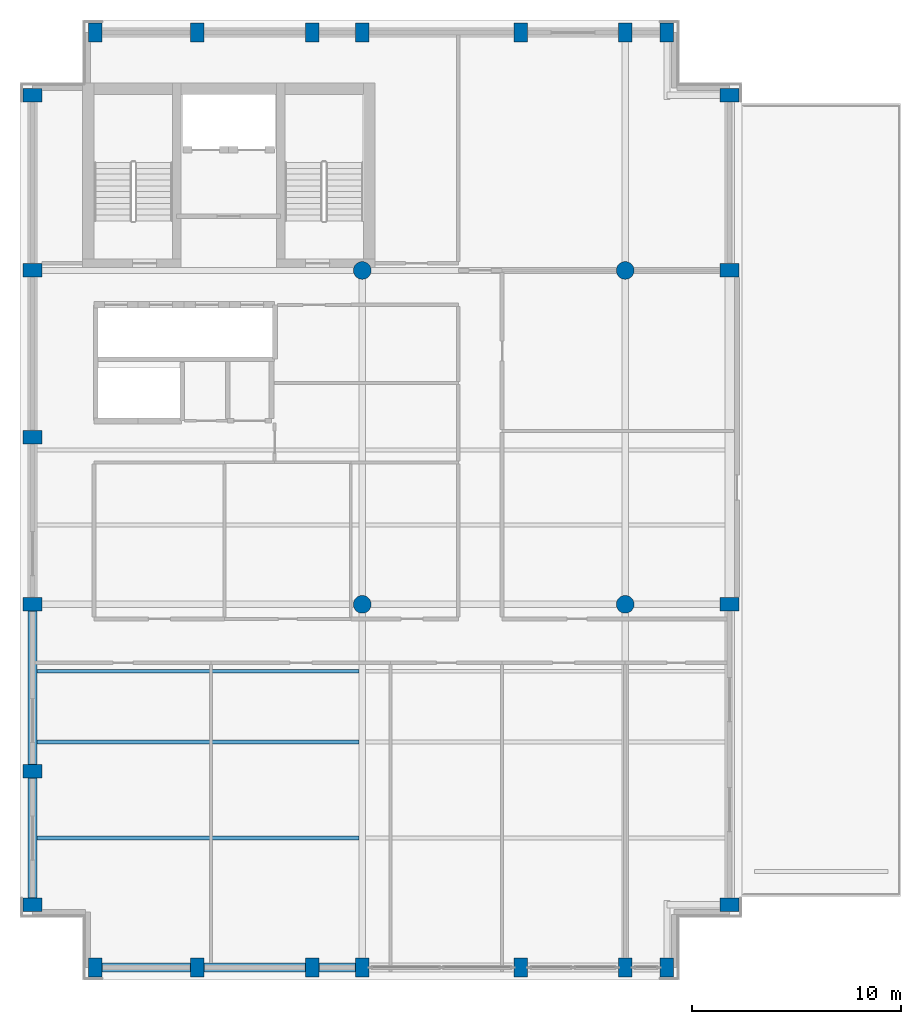
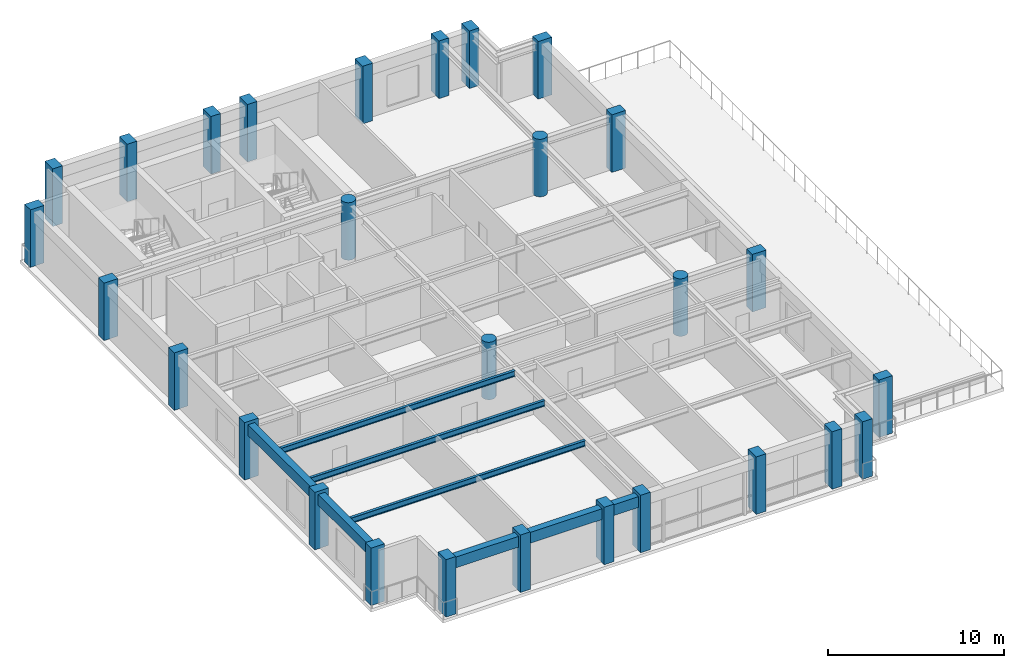
# One storey, part 1 of 9: 28 columns, 8 beams.
"""IFC4 building model written with IfcOpenShell, lengths in metres."""

from ifc_helpers import new_model, si_unit, direction, frame, origin, origin_2d, place, context, subcontext, project, spatial, rectangle, circle, i_section, extrude, material, material_profile, profile_set, type_object, element, save


model = new_model("IFC4")

# Units and contexts
model_context = context("Model", 3, precision=1e-05, world=origin(), true_north=direction((0.0, 1.0)))
body_context = subcontext(model_context, "Body", "Model", "MODEL_VIEW")
ifc_project = project(units=[si_unit("LENGTHUNIT", "METRE"), si_unit("AREAUNIT", "SQUARE_METRE"), si_unit("VOLUMEUNIT", "CUBIC_METRE"), si_unit("PLANEANGLEUNIT", "RADIAN"), si_unit("MASSUNIT", "GRAM", prefix="KILO")], contexts=[model_context])

# Site, building, storey
site_placement = place(None, origin())
site = spatial("IfcSite", under=ifc_project, at=site_placement, CompositionType="ELEMENT")
building_placement = place(site_placement, origin())
building = spatial("IfcBuilding", under=site, at=building_placement, Name="Sulina Concourse Tower", CompositionType="ELEMENT")
storey_placement = place(building_placement, frame((0.0, 0.0, 305.0)))
storey = spatial("IfcBuildingStorey", under=building, at=storey_placement, Name="L74", CompositionType="ELEMENT", Elevation=305.0)

# Columns
ifc_material_1 = material(Name="Precast concrete C50/60", Category="concrete")
ifc_material_profile_1 = material_profile(ifc_material_1, rectangle(XDim=0.64990234375, YDim=0.89990234375, at=origin_2d()), Name="PC 650x900")
ifc_profile_set_1 = profile_set([ifc_material_profile_1], Name="Precast concrete C50/60")
column_type_1 = type_object("IfcColumnType", Name="Precast Stepped Crown Pier 650x900", PredefinedType="COLUMN", material=ifc_profile_set_1)
for number, where, z_axis, x_axis, name in (
    (1, (3.60009765625, 0.60009765625, 0.0), (0.0, 0.0, 1.0), (1.0, 0.0, 0.0), "L74 structural column TP-S-36"),
    (2, (3.60009765625, 45.39990234375, 0.0), (0.0, 0.0, 1.0), (1.0, 0.0, 0.0), "L74 structural column TP-N-36"),
    (3, (8.5, 0.60009765625, 0.0), (0.0, 0.0, 1.0), (1.0, 0.0, 0.0), "L74 structural column TP-S-85"),
    (4, (8.5, 45.39990234375, 0.0), (0.0, 0.0, 1.0), (1.0, 0.0, 0.0), "L74 structural column TP-N-85"),
    (5, (14.0, 0.60009765625, 0.0), (0.0, 0.0, 1.0), (1.0, 0.0, 0.0), "L74 structural column TP-S-140"),
    (6, (14.0, 45.39990234375, 0.0), (0.0, 0.0, 1.0), (1.0, 0.0, 0.0), "L74 structural column TP-N-140"),
    (7, (16.39990234375, 0.60009765625, 0.0), (0.0, 0.0, 1.0), (1.0, 0.0, 0.0), "L74 structural column TP-S-164"),
    (8, (16.39990234375, 45.39990234375, 0.0), (0.0, 0.0, 1.0), (1.0, 0.0, 0.0), "L74 structural column TP-N-164"),
    (9, (24.0, 0.60009765625, 0.0), (0.0, 0.0, 1.0), (1.0, 0.0, 0.0), "L74 structural column TP-S-240"),
    (10, (24.0, 45.39990234375, 0.0), (0.0, 0.0, 1.0), (1.0, 0.0, 0.0), "L74 structural column TP-N-240"),
    (11, (29.0, 0.60009765625, 0.0), (0.0, 0.0, 1.0), (1.0, 0.0, 0.0), "L74 structural column TP-S-290"),
    (12, (29.0, 45.39990234375, 0.0), (0.0, 0.0, 1.0), (1.0, 0.0, 0.0), "L74 structural column TP-N-290"),
    (13, (31.0, 0.60009765625, 0.0), (0.0, 0.0, 1.0), (1.0, 0.0, 0.0), "L74 structural column TP-SC-310"),
    (14, (31.0, 45.39990234375, 0.0), (0.0, 0.0, 1.0), (1.0, 0.0, 0.0), "L74 structural column TP-NC-310"),
    (15, (0.60009765625, 3.60009765625, 0.0), (0.0, 0.0, 1.0), (0.0, 1.0, 0.0), "L74 structural column TP-W-36"),
    (16, (34.0, 3.60009765625, 0.0), (0.0, 0.0, 1.0), (0.0, 1.0, 0.0), "L74 structural column TP-E-36"),
    (17, (0.60009765625, 10.0, 0.0), (0.0, 0.0, 1.0), (0.0, 1.0, 0.0), "L74 structural column TP-W-100"),
    (18, (0.60009765625, 18.0, 0.0), (0.0, 0.0, 1.0), (0.0, 1.0, 0.0), "L74 structural column TP-W-180"),
    (19, (34.0, 18.0, 0.0), (0.0, 0.0, 1.0), (0.0, 1.0, 0.0), "L74 structural column TP-E-180"),
    (20, (0.60009765625, 26.0, 0.0), (0.0, 0.0, 1.0), (0.0, 1.0, 0.0), "L74 structural column TP-W-260"),
    (21, (0.60009765625, 34.0, 0.0), (0.0, 0.0, 1.0), (0.0, 1.0, 0.0), "L74 structural column TP-W-340"),
    (22, (34.0, 34.0, 0.0), (0.0, 0.0, 1.0), (0.0, 1.0, 0.0), "L74 structural column TP-E-340"),
    (23, (0.60009765625, 42.39990234375, 0.0), (0.0, 0.0, 1.0), (0.0, 1.0, 0.0), "L74 structural column TP-W-424"),
    (24, (34.0, 42.39990234375, 0.0), (0.0, 0.0, 1.0), (0.0, 1.0, 0.0), "L74 structural column TP-E-424"),
):
    element("IfcColumn", number, at=place(storey_placement, frame(where, z_axis=z_axis, x_axis=x_axis)), inside=storey, type_object=column_type_1, Name=name, PredefinedType="COLUMN", context=body_context, shape_type="SweptSolid", body=[
        extrude(rectangle(XDim=0.64990234375, YDim=0.89990234375, at=origin_2d()), origin(), (0.0, 0.0, 1.0), 4.0),
    ])
ifc_material_2 = material(Name="Concrete C50/60", Category="concrete")
ifc_material_profile_2 = material_profile(ifc_material_2, circle(Radius=0.425048828125, at=origin_2d()), Name="RC D850")
ifc_profile_set_2 = profile_set([ifc_material_profile_2], Name="Concrete C50/60")
column_type_2 = type_object("IfcColumnType", Name="Upper Interior Circular Column D850", PredefinedType="COLUMN", material=ifc_profile_set_2)
for number, where, z_axis, x_axis, name in (
    (25, (16.39990234375, 18.0, 0.0), (0.0, 0.0, 1.0), (1.0, 0.0, 0.0), "L74 structural column IC-M-164"),
    (26, (16.39990234375, 34.0, 0.0), (0.0, 0.0, 1.0), (1.0, 0.0, 0.0), "L74 structural column IC-N-164"),
    (27, (29.0, 18.0, 0.0), (0.0, 0.0, 1.0), (1.0, 0.0, 0.0), "L74 structural column IC-M-290"),
    (28, (29.0, 34.0, 0.0), (0.0, 0.0, 1.0), (1.0, 0.0, 0.0), "L74 structural column IC-N-290"),
):
    element("IfcColumn", number, at=place(storey_placement, frame(where, z_axis=z_axis, x_axis=x_axis)), inside=storey, type_object=column_type_2, Name=name, PredefinedType="COLUMN", context=body_context, shape_type="SweptSolid", body=[
        extrude(circle(Radius=0.425048828125, at=origin_2d()), origin(), (0.0, 0.0, 1.0), 4.0),
    ])

# Beams
ifc_material_3 = material(Name="Steel S355", Category="steel")
ifc_material_profile_3 = material_profile(ifc_material_3, i_section(OverallWidth=0.179931640625, OverallDepth=0.39990234375, WebThickness=0.008544921875, FlangeThickness=0.013427734375, at=origin_2d()), Name="IPE 400")
ifc_profile_set_3 = profile_set([ifc_material_profile_3], Name="Steel S355")
beam_type_1 = type_object("IfcBeamType", Name="Crown & Terrace Joist IPE400", PredefinedType="JOIST", material=ifc_profile_set_3)
for number, where, z_axis, x_axis, name in (
    (29, (0.824951171875, 6.800048828125, 3.574951171875), (1.0, 0.0, 0.0), (0.0, 1.0, 0.0), "FJ-J06-1-L74"),
    (30, (0.824951171875, 11.39990234375, 3.574951171875), (1.0, 0.0, 0.0), (0.0, 1.0, 0.0), "FJ-J11-1-L74"),
    (31, (0.824951171875, 14.800048828125, 3.574951171875), (1.0, 0.0, 0.0), (0.0, 1.0, 0.0), "FJ-J15-1-L74"),
):
    element("IfcBeam", number, at=place(storey_placement, frame(where, z_axis=z_axis, x_axis=x_axis)), inside=storey, type_object=beam_type_1, Name=name, PredefinedType="JOIST", context=body_context, shape_type="SweptSolid", body=[
        extrude(i_section(OverallWidth=0.179931640625, OverallDepth=0.39990234375, WebThickness=0.008544921875, FlangeThickness=0.013427734375, at=origin_2d()), origin(), (0.0, 0.0, 1.0), 15.425048828125),
    ])
ifc_material_4 = material(Name="Precast concrete C50/60", Category="concrete")
ifc_material_profile_4 = material_profile(ifc_material_4, rectangle(XDim=0.449951171875, YDim=0.75, at=origin_2d()), Name="RC 450x750")
ifc_profile_set_4 = profile_set([ifc_material_profile_4], Name="Precast concrete C50/60")
beam_type_2 = type_object("IfcBeamType", Name="Upper Precast Spandrel Edge Beam 450x750", PredefinedType="BEAM", material=ifc_profile_set_4)
beam_1_placement = place(storey_placement, frame((3.905029296875, 0.60009765625, 3.39990234375), z_axis=(1.0, 0.0, 0.0), x_axis=(0.0, 1.0, 0.0)))
element("IfcBeam", 32, at=beam_1_placement, inside=storey, type_object=beam_type_2, Name="SP-S1-L74", PredefinedType="BEAM", context=body_context, shape_type="SweptSolid", body=[
    extrude(rectangle(XDim=0.449951171875, YDim=0.75, at=origin_2d()), origin(), (0.0, 0.0, 1.0), 4.2900390625),
])
beam_2_placement = place(storey_placement, frame((8.804931640625, 0.60009765625, 3.39990234375), z_axis=(1.0, 0.0, 0.0), x_axis=(0.0, 1.0, 0.0)))
element("IfcBeam", 33, at=beam_2_placement, inside=storey, type_object=beam_type_2, Name="SP-S2-L74", PredefinedType="BEAM", context=body_context, shape_type="SweptSolid", body=[
    extrude(rectangle(XDim=0.449951171875, YDim=0.75, at=origin_2d()), origin(), (0.0, 0.0, 1.0), 4.89013671875),
])
beam_3_placement = place(storey_placement, frame((14.304931640625, 0.60009765625, 3.39990234375), z_axis=(1.0, 0.0, 0.0), x_axis=(0.0, 1.0, 0.0)))
element("IfcBeam", 34, at=beam_3_placement, inside=storey, type_object=beam_type_2, Name="SP-S3-L74", PredefinedType="BEAM", context=body_context, shape_type="SweptSolid", body=[
    extrude(rectangle(XDim=0.449951171875, YDim=0.75, at=origin_2d()), origin(), (0.0, 0.0, 1.0), 1.7900390625),
])
beam_4_placement = place(storey_placement, frame((0.60009765625, 3.905029296875, 3.39990234375), z_axis=(0.0, 1.0, 0.0), x_axis=(-1.0, 0.0, 0.0)))
element("IfcBeam", 35, at=beam_4_placement, inside=storey, type_object=beam_type_2, Name="SP-W1-L74", PredefinedType="BEAM", context=body_context, shape_type="SweptSolid", body=[
    extrude(rectangle(XDim=0.449951171875, YDim=0.75, at=origin_2d()), origin(), (0.0, 0.0, 1.0), 5.7900390625),
])
beam_5_placement = place(storey_placement, frame((0.60009765625, 10.304931640625, 3.39990234375), z_axis=(0.0, 1.0, 0.0), x_axis=(-1.0, 0.0, 0.0)))
element("IfcBeam", 36, at=beam_5_placement, inside=storey, type_object=beam_type_2, Name="SP-W2-L74", PredefinedType="BEAM", context=body_context, shape_type="SweptSolid", body=[
    extrude(rectangle(XDim=0.449951171875, YDim=0.75, at=origin_2d()), origin(), (0.0, 0.0, 1.0), 7.39013671875),
])

save(model, "model.ifc")
